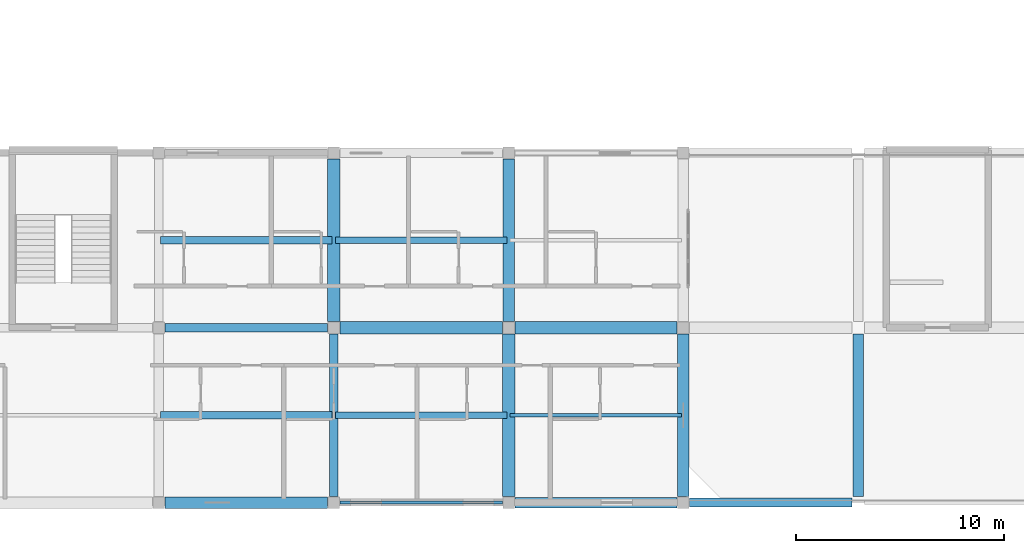
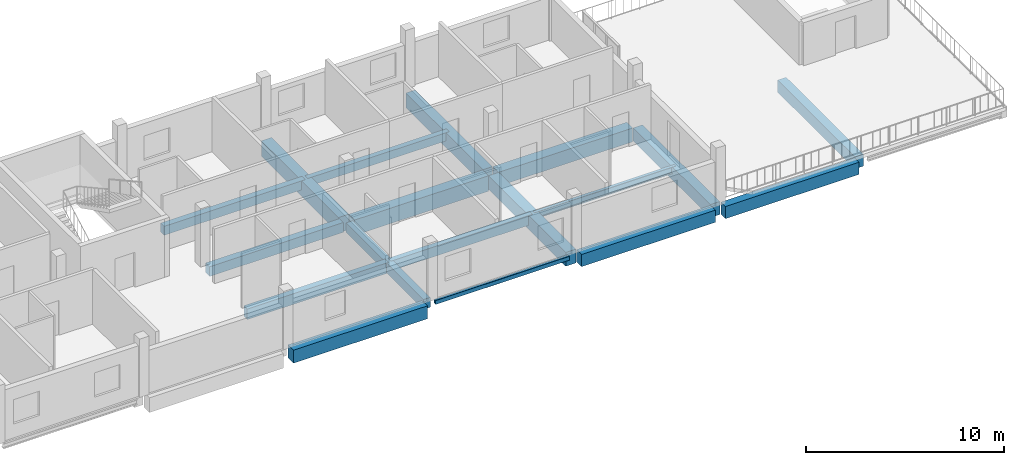
# One storey, part 5 of 26: 18 beams.
"""IFC4 building model written with IfcOpenShell, lengths in metres."""

from ifc_helpers import new_model, si_unit, derived_unit, direction, frame, origin, origin_2d, place, context, subcontext, project, spatial, rectangle, hollow_rectangle, i_section, extrude, material, material_profile, profile_set, type_object, element, save


model = new_model("IFC4")

# Units and contexts
model_context = context("Model", 3, precision=1e-05, world=origin(), true_north=direction((0.0, 1.0)))
body_context = subcontext(model_context, "Body", "Model", "MODEL_VIEW")
ifc_project = project(units=[si_unit("LENGTHUNIT", "METRE"), si_unit("AREAUNIT", "SQUARE_METRE"), si_unit("VOLUMEUNIT", "CUBIC_METRE"), si_unit("PLANEANGLEUNIT", "RADIAN"), si_unit("MASSUNIT", "GRAM", prefix="KILO"), derived_unit("THERMALTRANSMITTANCEUNIT", [(si_unit("POWERUNIT", "WATT"), 1), (si_unit("LENGTHUNIT", "METRE"), -2), (si_unit("THERMODYNAMICTEMPERATUREUNIT", "KELVIN"), -1)])], contexts=[model_context])

# Site, building, storey
site_placement = place(None, origin())
site = spatial("IfcSite", under=ifc_project, at=site_placement, CompositionType="ELEMENT")
building_placement = place(site_placement, origin())
building = spatial("IfcBuilding", under=site, at=building_placement, Name="Barrovel Congress Hotel", CompositionType="ELEMENT")
storey_placement = place(building_placement, frame((0.0, 0.0, 32.699951171875)))
storey = spatial("IfcBuildingStorey", under=building, at=storey_placement, Name="L08", CompositionType="ELEMENT", Elevation=32.699951171875)

# Beams
ifc_material_1 = material(Name="Concrete C40", Category="concrete")
ifc_material_profile_1 = material_profile(ifc_material_1, rectangle(XDim=0.300048828125, YDim=0.5, at=origin_2d()), Name="RC300x500")
ifc_profile_set_1 = profile_set([ifc_material_profile_1], Name="Concrete C40")
beam_type_1 = type_object("IfcBeamType", Name="BM-RC300x500", PredefinedType="JOIST", material=ifc_profile_set_1)
beam_1_placement = place(storey_placement, frame((117.679931640625, 16.800048828125, -0.469970703125), z_axis=(1.0, 0.0, 0.0), x_axis=(0.0, 1.0, 0.0)))
element("IfcBeam", 1, at=beam_1_placement, inside=storey, type_object=beam_type_1, Name="JST:L08:117.6:16.8", PredefinedType="JOIST", context=body_context, shape_type="SweptSolid", body=[
    extrude(rectangle(XDim=0.300048828125, YDim=0.5, at=origin_2d()), origin(), (0.0, 0.0, 1.0), 8.239990234375),
])
ifc_material_profile_2 = material_profile(ifc_material_1, rectangle(XDim=0.300048828125, YDim=0.60009765625, at=origin_2d()), Name="RC300x600")
ifc_profile_set_2 = profile_set([ifc_material_profile_2], Name="Concrete C40")
beam_type_2 = type_object("IfcBeamType", Name="BM-RC300x600", PredefinedType="JOIST", material=ifc_profile_set_2)
beam_2_placement = place(storey_placement, frame((117.679931640625, 8.39990234375, -0.52001953125), z_axis=(1.0, 0.0, 0.0), x_axis=(0.0, 1.0, 0.0)))
element("IfcBeam", 2, at=beam_2_placement, inside=storey, type_object=beam_type_2, Name="JST:L08:117.6:8.4", PredefinedType="JOIST", context=body_context, shape_type="SweptSolid", body=[
    extrude(rectangle(XDim=0.300048828125, YDim=0.60009765625, at=origin_2d()), origin(), (0.0, 0.0, 1.0), 8.239990234375),
])
ifc_material_profile_3 = material_profile(ifc_material_1, rectangle(XDim=0.35009765625, YDim=0.550048828125, at=origin_2d()), Name="RC350x550")
ifc_profile_set_3 = profile_set([ifc_material_profile_3], Name="Concrete C40")
beam_type_3 = type_object("IfcBeamType", Name="BM-RC350x550", PredefinedType="JOIST", material=ifc_profile_set_3)
beam_3_placement = place(storey_placement, frame((109.280029296875, 16.800048828125, -0.494873046875), z_axis=(1.0, 0.0, 0.0), x_axis=(0.0, 1.0, 0.0)))
element("IfcBeam", 3, at=beam_3_placement, inside=storey, type_object=beam_type_3, Name="JST:L08:109.2:16.8", PredefinedType="JOIST", context=body_context, shape_type="SweptSolid", body=[
    extrude(rectangle(XDim=0.35009765625, YDim=0.550048828125, at=origin_2d()), origin(), (0.0, 0.0, 1.0), 8.239990234375),
])
ifc_material_profile_4 = material_profile(ifc_material_1, rectangle(XDim=0.35009765625, YDim=0.64990234375, at=origin_2d()), Name="RC350x650")
ifc_profile_set_4 = profile_set([ifc_material_profile_4], Name="Concrete C40")
beam_type_4 = type_object("IfcBeamType", Name="BM-RC350x650", PredefinedType="JOIST", material=ifc_profile_set_4)
beam_4_placement = place(storey_placement, frame((109.280029296875, 8.39990234375, -0.544921875), z_axis=(1.0, 0.0, 0.0), x_axis=(0.0, 1.0, 0.0)))
element("IfcBeam", 4, at=beam_4_placement, inside=storey, type_object=beam_type_4, Name="JST:L08:109.2:8.4", PredefinedType="JOIST", context=body_context, shape_type="SweptSolid", body=[
    extrude(rectangle(XDim=0.35009765625, YDim=0.64990234375, at=origin_2d()), origin(), (0.0, 0.0, 1.0), 8.239990234375),
])
ifc_material_profile_5 = material_profile(ifc_material_1, rectangle(XDim=0.39990234375, YDim=0.60009765625, at=origin_2d()), Name="RC400x600")
ifc_profile_set_5 = profile_set([ifc_material_profile_5], Name="Concrete C40")
beam_type_5 = type_object("IfcBeamType", Name="BM-RC400x600", PredefinedType="BEAM", material=ifc_profile_set_5)
for number, where, z_axis, x_axis, name in (
    (5, (109.5, 12.60009765625, -0.52001953125), (1.0, 0.0, 0.0), (0.0, 1.0, 0.0), "BMX:L08:12.6:109.2-117.6"),
    (6, (117.60009765625, 4.5, -0.52001953125), (0.0, 1.0, 0.0), (-1.0, 0.0, 0.0), "BMY:L08:117.6:4.2-12.6"),
):
    element("IfcBeam", number, at=place(storey_placement, frame(where, z_axis=z_axis, x_axis=x_axis)), inside=storey, type_object=beam_type_5, Name=name, PredefinedType="BEAM", context=body_context, shape_type="SweptSolid", body=[
        extrude(rectangle(XDim=0.39990234375, YDim=0.60009765625, at=origin_2d()), origin(), (0.0, 0.0, 1.0), 7.800048828125),
    ])
ifc_material_profile_6 = material_profile(ifc_material_1, rectangle(XDim=0.449951171875, YDim=0.75, at=origin_2d()), Name="RC450x750")
ifc_profile_set_6 = profile_set([ifc_material_profile_6], Name="Concrete C40")
beam_type_6 = type_object("IfcBeamType", Name="BM-RC450x750", PredefinedType="BEAM", material=ifc_profile_set_6)
beam_5_placement = place(storey_placement, frame((134.699951171875, 4.199951171875, -0.594970703125), z_axis=(1.0, 0.0, 0.0), x_axis=(0.0, 1.0, 0.0)))
element("IfcBeam", 7, at=beam_5_placement, inside=storey, type_object=beam_type_6, Name="BMX:L08:4.2:134.4-142.8", PredefinedType="BEAM", context=body_context, shape_type="SweptSolid", body=[
    extrude(rectangle(XDim=0.449951171875, YDim=0.75, at=origin_2d()), origin(), (0.0, 0.0, 1.0), 7.800048828125),
])
ifc_material_profile_7 = material_profile(ifc_material_1, rectangle(XDim=0.5, YDim=0.75, at=origin_2d()), Name="RC500x750")
ifc_profile_set_7 = profile_set([ifc_material_profile_7], Name="Concrete C40")
beam_type_7 = type_object("IfcBeamType", Name="BM-RC500x750", PredefinedType="BEAM", material=ifc_profile_set_7)
for number, where, z_axis, x_axis, name in (
    (8, (126.300048828125, 4.199951171875, -0.594970703125), (1.0, 0.0, 0.0), (0.0, 1.0, 0.0), "BMX:L08:4.2:126.0-134.4"),
    (9, (142.800048828125, 4.5, -0.594970703125), (0.0, 1.0, 0.0), (-1.0, 0.0, 0.0), "BMY:L08:142.8:4.2-12.6"),
):
    element("IfcBeam", number, at=place(storey_placement, frame(where, z_axis=z_axis, x_axis=x_axis)), inside=storey, type_object=beam_type_7, Name=name, PredefinedType="BEAM", context=body_context, shape_type="SweptSolid", body=[
        extrude(rectangle(XDim=0.5, YDim=0.75, at=origin_2d()), origin(), (0.0, 0.0, 1.0), 7.800048828125),
    ])
ifc_material_profile_8 = material_profile(ifc_material_1, rectangle(XDim=0.550048828125, YDim=0.800048828125, at=origin_2d()), Name="RC550x800")
ifc_profile_set_8 = profile_set([ifc_material_profile_8], Name="Concrete C40")
beam_type_8 = type_object("IfcBeamType", Name="BM-RC550x800", PredefinedType="BEAM", material=ifc_profile_set_8)
for number, where, z_axis, x_axis, name in (
    (10, (109.5, 4.199951171875, -0.619873046875), (1.0, 0.0, 0.0), (0.0, 1.0, 0.0), "BMX:L08:4.2:109.2-117.6"),
    (11, (134.39990234375, 4.5, -0.619873046875), (0.0, 1.0, 0.0), (-1.0, 0.0, 0.0), "BMY:L08:134.4:4.2-12.6"),
):
    element("IfcBeam", number, at=place(storey_placement, frame(where, z_axis=z_axis, x_axis=x_axis)), inside=storey, type_object=beam_type_8, Name=name, PredefinedType="BEAM", context=body_context, shape_type="SweptSolid", body=[
        extrude(rectangle(XDim=0.550048828125, YDim=0.800048828125, at=origin_2d()), origin(), (0.0, 0.0, 1.0), 7.800048828125),
    ])
ifc_material_profile_9 = material_profile(ifc_material_1, rectangle(XDim=0.550048828125, YDim=0.89990234375, at=origin_2d()), Name="RC550x900")
ifc_profile_set_9 = profile_set([ifc_material_profile_9], Name="Concrete C40")
beam_type_9 = type_object("IfcBeamType", Name="BM-RC550x900", PredefinedType="BEAM", material=ifc_profile_set_9)
beam_6_placement = place(storey_placement, frame((126.0, 12.89990234375, -0.669921875), z_axis=(0.0, 1.0, 0.0), x_axis=(-1.0, 0.0, 0.0)))
element("IfcBeam", 12, at=beam_6_placement, inside=storey, type_object=beam_type_9, Name="BMY:L08:126.0:12.6-21.0", PredefinedType="BEAM", context=body_context, shape_type="SweptSolid", body=[
    extrude(rectangle(XDim=0.550048828125, YDim=0.89990234375, at=origin_2d()), origin(), (0.0, 0.0, 1.0), 7.800048828125),
])
ifc_material_profile_10 = material_profile(ifc_material_1, rectangle(XDim=0.60009765625, YDim=0.85009765625, at=origin_2d()), Name="RC600x850")
ifc_profile_set_10 = profile_set([ifc_material_profile_10], Name="Concrete C40")
beam_type_10 = type_object("IfcBeamType", Name="BM-RC600x850", PredefinedType="BEAM", material=ifc_profile_set_10)
for number, where, z_axis, x_axis, name in (
    (13, (126.300048828125, 12.60009765625, -0.64501953125), (1.0, 0.0, 0.0), (0.0, 1.0, 0.0), "BMX:L08:12.6:126.0-134.4"),
    (14, (126.0, 4.5, -0.64501953125), (0.0, 1.0, 0.0), (-1.0, 0.0, 0.0), "BMY:L08:126.0:4.2-12.6"),
):
    element("IfcBeam", number, at=place(storey_placement, frame(where, z_axis=z_axis, x_axis=x_axis)), inside=storey, type_object=beam_type_10, Name=name, PredefinedType="BEAM", context=body_context, shape_type="SweptSolid", body=[
        extrude(rectangle(XDim=0.60009765625, YDim=0.85009765625, at=origin_2d()), origin(), (0.0, 0.0, 1.0), 7.800048828125),
    ])
ifc_material_profile_11 = material_profile(ifc_material_1, rectangle(XDim=0.60009765625, YDim=0.949951171875, at=origin_2d()), Name="RC600x950")
ifc_profile_set_11 = profile_set([ifc_material_profile_11], Name="Concrete C40")
beam_type_11 = type_object("IfcBeamType", Name="BM-RC600x950", PredefinedType="BEAM", material=ifc_profile_set_11)
for number, where, z_axis, x_axis, name in (
    (15, (117.89990234375, 12.60009765625, -0.695068359375), (1.0, 0.0, 0.0), (0.0, 1.0, 0.0), "BMX:L08:12.6:117.6-126.0"),
    (16, (117.60009765625, 12.89990234375, -0.695068359375), (0.0, 1.0, 0.0), (-1.0, 0.0, 0.0), "BMY:L08:117.6:12.6-21.0"),
):
    element("IfcBeam", number, at=place(storey_placement, frame(where, z_axis=z_axis, x_axis=x_axis)), inside=storey, type_object=beam_type_11, Name=name, PredefinedType="BEAM", context=body_context, shape_type="SweptSolid", body=[
        extrude(rectangle(XDim=0.60009765625, YDim=0.949951171875, at=origin_2d()), origin(), (0.0, 0.0, 1.0), 7.800048828125),
    ])
ifc_material_2 = material(Name="Steel ASTM A500 Grade C", Category="steel")
ifc_material_profile_12 = material_profile(ifc_material_2, hollow_rectangle(XDim=0.15234375, YDim=0.25390625, WallThickness=0.0087890625, InnerFilletRadius=0.0087890625, OuterFilletRadius=0.017578125, at=origin_2d()), Name="HSS254x152x9.5")
ifc_profile_set_12 = profile_set([ifc_material_profile_12], Name="Steel ASTM A500 Grade C")
beam_type_12 = type_object("IfcBeamType", Name="SBM-HSS254x152x9.5", PredefinedType="SPANDREL", material=ifc_profile_set_12)
beam_7_placement = place(storey_placement, frame((117.89990234375, 4.199951171875, -0.346923828125), z_axis=(1.0, 0.0, 0.0), x_axis=(0.0, 1.0, 0.0)))
element("IfcBeam", 17, at=beam_7_placement, inside=storey, type_object=beam_type_12, Name="BMX:L08:4.2:117.6-126.0", PredefinedType="SPANDREL", context=body_context, shape_type="SweptSolid", body=[
    extrude(hollow_rectangle(XDim=0.15234375, YDim=0.25390625, WallThickness=0.0087890625, InnerFilletRadius=0.0087890625, OuterFilletRadius=0.017578125, at=origin_2d()), origin(), (0.0, 0.0, 1.0), 7.800048828125),
])
ifc_material_3 = material(Name="Steel ASTM A992 Grade 50", Category="steel")
ifc_material_profile_13 = material_profile(ifc_material_3, i_section(OverallWidth=0.177001953125, OverallDepth=0.403076171875, WebThickness=0.007568359375, FlangeThickness=0.010986328125, FilletRadius=0.011962890625, at=origin_2d()), Name="W410x53")
ifc_profile_set_13 = profile_set([ifc_material_profile_13], Name="Steel ASTM A992 Grade 50")
beam_type_13 = type_object("IfcBeamType", Name="SBM-W410x53", PredefinedType="JOIST", material=ifc_profile_set_13)
beam_8_placement = place(storey_placement, frame((126.080078125, 8.39990234375, -0.42138671875), z_axis=(1.0, 0.0, 0.0), x_axis=(0.0, 1.0, 0.0)))
element("IfcBeam", 18, at=beam_8_placement, inside=storey, type_object=beam_type_13, Name="JST:L08:126.0:8.4", PredefinedType="JOIST", context=body_context, shape_type="SweptSolid", body=[
    extrude(i_section(OverallWidth=0.177001953125, OverallDepth=0.403076171875, WebThickness=0.007568359375, FlangeThickness=0.010986328125, FilletRadius=0.011962890625, at=origin_2d()), origin(), (0.0, 0.0, 1.0), 8.239990234375),
])

save(model, "model.ifc")
